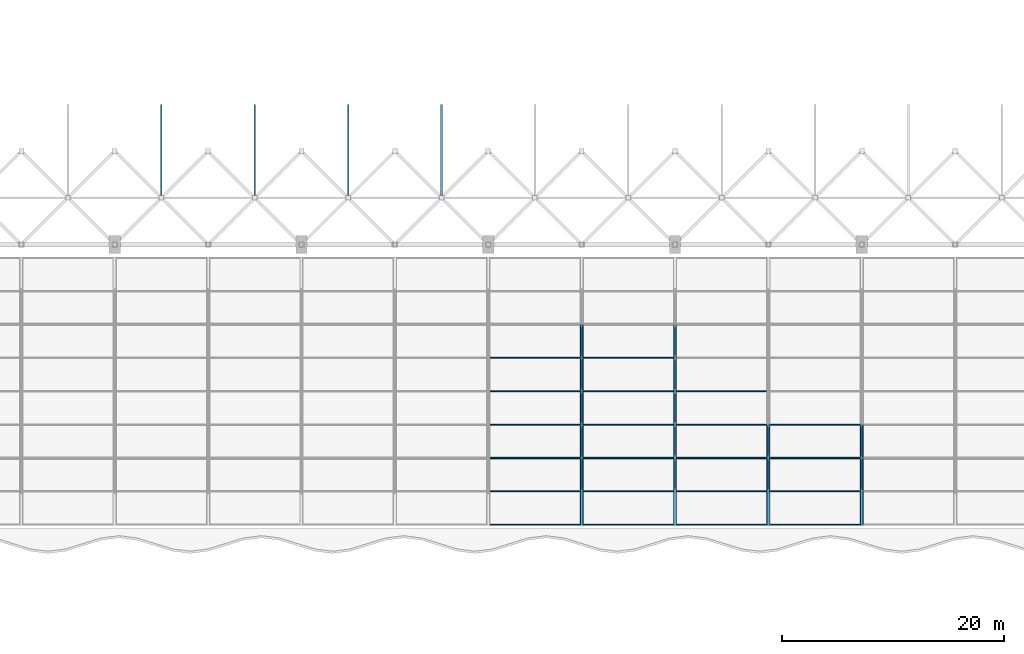
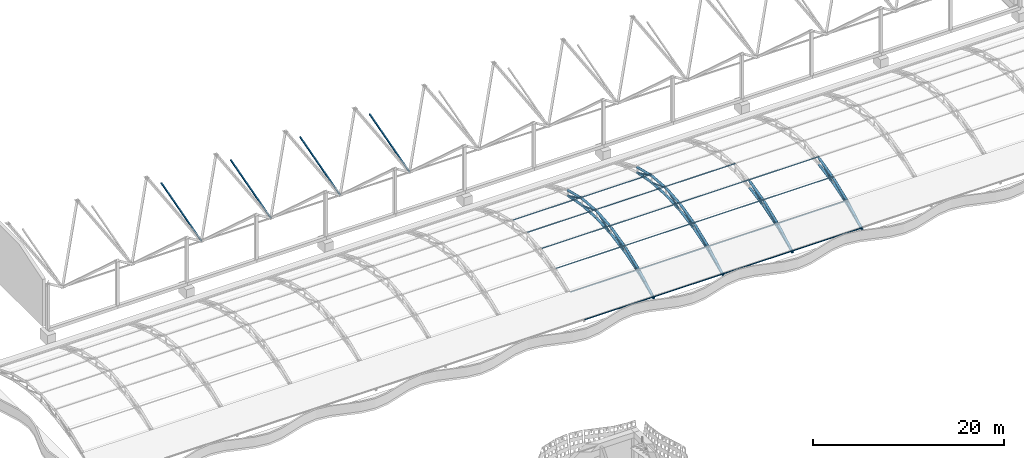
# One storey, part 17 of 163: 75 members.
"""IFC4 building model written with IfcOpenShell, lengths in metres."""

from ifc_helpers import new_model, si_unit, direction, frame, origin, origin_2d, place, context, subcontext, project, spatial, hollow_rectangle, hollow_circle, extrude, material, material_profile, profile_set, type_object, element, save


model = new_model("IFC4")

# Units and contexts
model_context = context("Model", 3, precision=1e-05, world=origin(), true_north=direction((0.0, 1.0)))
body_context = subcontext(model_context, "Body", "Model", "MODEL_VIEW")
ifc_project = project(units=[si_unit("LENGTHUNIT", "METRE"), si_unit("AREAUNIT", "SQUARE_METRE"), si_unit("VOLUMEUNIT", "CUBIC_METRE"), si_unit("PLANEANGLEUNIT", "RADIAN"), si_unit("MASSUNIT", "GRAM", prefix="KILO")], contexts=[model_context])

# Site, building, storey
site_placement = place(None, origin())
site = spatial("IfcSite", under=ifc_project, at=site_placement, CompositionType="ELEMENT")
building_placement = place(site_placement, origin())
building = spatial("IfcBuilding", under=site, at=building_placement, Name="Rain Tree Exposition and Congress Centre", CompositionType="ELEMENT")
storey_placement = place(building_placement, frame((0.0, 0.0, 10.5)))
storey = spatial("IfcBuildingStorey", under=building, at=storey_placement, Name="L02", CompositionType="ELEMENT", Elevation=10.5)

# Members
ifc_material_1 = material(Name="Steel S355J2H", Category="steel")
ifc_material_profile_1 = material_profile(ifc_material_1, hollow_circle(Radius=0.090087890625, WallThickness=0.008056640625, at=origin_2d()), Name="CHS 180x8")
ifc_profile_set_1 = profile_set([ifc_material_profile_1], Name="Steel S355J2H")
member_type_1 = type_object("IfcMemberType", Name="Steel brace member CHS 180x8", PredefinedType="BRACE", material=ifc_profile_set_1)
member_1_placement = place(storey_placement, frame((67.199951171875, 78.60009765625, 1.4423828125), z_axis=(0.0, 0.880818418444, 0.473454236151), x_axis=(-1.0, 0.0, 0.0)))
element("IfcMember", 1, at=member_1_placement, inside=storey, type_object=member_type_1, Name="Roof truss 9 diagonal 1", PredefinedType="BRACE", context=body_context, shape_type="SweptSolid", body=[
    extrude(hollow_circle(Radius=0.090087890625, WallThickness=0.008056640625, at=origin_2d()), origin(), (0.0, 0.0, 1.0), 3.406005859375),
])
member_2_placement = place(storey_placement, frame((67.199951171875, 81.60009765625, 2.3798828125), z_axis=(0.0, 0.905430616583, 0.424494285655), x_axis=(-1.0, 0.0, 0.0)))
element("IfcMember", 2, at=member_2_placement, inside=storey, type_object=member_type_1, Name="Roof truss 9 diagonal 2", PredefinedType="BRACE", context=body_context, shape_type="SweptSolid", body=[
    extrude(hollow_circle(Radius=0.090087890625, WallThickness=0.008056640625, at=origin_2d()), origin(), (0.0, 0.0, 1.0), 3.313232421875),
])
for number, where, z_axis, x_axis, name in (
    (3, (67.199951171875, 84.60009765625, 2.9423828125), (0.0, 0.940121356633, 0.340839896143), (-1.0, 0.0, 0.0), "Roof truss 9 diagonal 3"),
    (4, (67.199951171875, 90.60009765625, 2.9423828125), (0.0, -0.940121356633, 0.340839896143), (1.0, 0.0, 0.0), "Roof truss 9 diagonal 4"),
):
    element("IfcMember", number, at=place(storey_placement, frame(where, z_axis=z_axis, x_axis=x_axis)), inside=storey, type_object=member_type_1, Name=name, PredefinedType="BRACE", context=body_context, shape_type="SweptSolid", body=[
        extrude(hollow_circle(Radius=0.090087890625, WallThickness=0.008056640625, at=origin_2d()), origin(), (0.0, 0.0, 1.0), 3.191162109375),
    ])
member_3_placement = place(storey_placement, frame((67.199951171875, 93.60009765625, 2.3798828125), z_axis=(0.0, -0.905430616583, 0.424494285655), x_axis=(1.0, 0.0, 0.0)))
element("IfcMember", 5, at=member_3_placement, inside=storey, type_object=member_type_1, Name="Roof truss 9 diagonal 5", PredefinedType="BRACE", context=body_context, shape_type="SweptSolid", body=[
    extrude(hollow_circle(Radius=0.090087890625, WallThickness=0.008056640625, at=origin_2d()), origin(), (0.0, 0.0, 1.0), 3.313232421875),
])
member_4_placement = place(storey_placement, frame((75.60009765625, 78.60009765625, 1.4423828125), z_axis=(0.0, 0.880818418444, 0.473454236151), x_axis=(-1.0, 0.0, 0.0)))
element("IfcMember", 6, at=member_4_placement, inside=storey, type_object=member_type_1, Name="Roof truss 10 diagonal 1", PredefinedType="BRACE", context=body_context, shape_type="SweptSolid", body=[
    extrude(hollow_circle(Radius=0.090087890625, WallThickness=0.008056640625, at=origin_2d()), origin(), (0.0, 0.0, 1.0), 3.406005859375),
])
member_5_placement = place(storey_placement, frame((75.60009765625, 81.60009765625, 2.3798828125), z_axis=(0.0, 0.905430616583, 0.424494285655), x_axis=(-1.0, 0.0, 0.0)))
element("IfcMember", 7, at=member_5_placement, inside=storey, type_object=member_type_1, Name="Roof truss 10 diagonal 2", PredefinedType="BRACE", context=body_context, shape_type="SweptSolid", body=[
    extrude(hollow_circle(Radius=0.090087890625, WallThickness=0.008056640625, at=origin_2d()), origin(), (0.0, 0.0, 1.0), 3.313232421875),
])
for number, where, z_axis, x_axis, name in (
    (8, (75.60009765625, 84.60009765625, 2.9423828125), (0.0, 0.940121356633, 0.340839896143), (-1.0, 0.0, 0.0), "Roof truss 10 diagonal 3"),
    (9, (75.60009765625, 90.60009765625, 2.9423828125), (0.0, -0.940121356633, 0.340839896143), (1.0, 0.0, 0.0), "Roof truss 10 diagonal 4"),
):
    element("IfcMember", number, at=place(storey_placement, frame(where, z_axis=z_axis, x_axis=x_axis)), inside=storey, type_object=member_type_1, Name=name, PredefinedType="BRACE", context=body_context, shape_type="SweptSolid", body=[
        extrude(hollow_circle(Radius=0.090087890625, WallThickness=0.008056640625, at=origin_2d()), origin(), (0.0, 0.0, 1.0), 3.191162109375),
    ])
member_6_placement = place(storey_placement, frame((75.60009765625, 93.60009765625, 2.3798828125), z_axis=(0.0, -0.905430616583, 0.424494285655), x_axis=(1.0, 0.0, 0.0)))
element("IfcMember", 10, at=member_6_placement, inside=storey, type_object=member_type_1, Name="Roof truss 10 diagonal 5", PredefinedType="BRACE", context=body_context, shape_type="SweptSolid", body=[
    extrude(hollow_circle(Radius=0.090087890625, WallThickness=0.008056640625, at=origin_2d()), origin(), (0.0, 0.0, 1.0), 3.313232421875),
])
member_7_placement = place(storey_placement, frame((84.0, 78.60009765625, 1.4423828125), z_axis=(0.0, 0.880818418444, 0.473454236151), x_axis=(-1.0, 0.0, 0.0)))
element("IfcMember", 11, at=member_7_placement, inside=storey, type_object=member_type_1, Name="Roof truss 11 diagonal 1", PredefinedType="BRACE", context=body_context, shape_type="SweptSolid", body=[
    extrude(hollow_circle(Radius=0.090087890625, WallThickness=0.008056640625, at=origin_2d()), origin(), (0.0, 0.0, 1.0), 3.406005859375),
])
member_8_placement = place(storey_placement, frame((84.0, 81.60009765625, 2.3798828125), z_axis=(0.0, 0.905430616583, 0.424494285655), x_axis=(-1.0, 0.0, 0.0)))
element("IfcMember", 12, at=member_8_placement, inside=storey, type_object=member_type_1, Name="Roof truss 11 diagonal 2", PredefinedType="BRACE", context=body_context, shape_type="SweptSolid", body=[
    extrude(hollow_circle(Radius=0.090087890625, WallThickness=0.008056640625, at=origin_2d()), origin(), (0.0, 0.0, 1.0), 3.313232421875),
])
member_9_placement = place(storey_placement, frame((92.39990234375, 78.60009765625, 1.4423828125), z_axis=(0.0, 0.880818418444, 0.473454236151), x_axis=(-1.0, 0.0, 0.0)))
element("IfcMember", 13, at=member_9_placement, inside=storey, type_object=member_type_1, Name="Roof truss 12 diagonal 1", PredefinedType="BRACE", context=body_context, shape_type="SweptSolid", body=[
    extrude(hollow_circle(Radius=0.090087890625, WallThickness=0.008056640625, at=origin_2d()), origin(), (0.0, 0.0, 1.0), 3.406005859375),
])
member_10_placement = place(storey_placement, frame((92.39990234375, 81.60009765625, 2.3798828125), z_axis=(0.0, 0.905430616583, 0.424494285655), x_axis=(-1.0, 0.0, 0.0)))
element("IfcMember", 14, at=member_10_placement, inside=storey, type_object=member_type_1, Name="Roof truss 12 diagonal 2", PredefinedType="BRACE", context=body_context, shape_type="SweptSolid", body=[
    extrude(hollow_circle(Radius=0.090087890625, WallThickness=0.008056640625, at=origin_2d()), origin(), (0.0, 0.0, 1.0), 3.313232421875),
])
ifc_material_2 = material(Name="Steel S355J2H", Category="steel")
ifc_material_profile_2 = material_profile(ifc_material_2, hollow_circle(Radius=0.14990234375, WallThickness=0.013916015625, at=origin_2d()), Name="CHS 300x14")
ifc_profile_set_2 = profile_set([ifc_material_profile_2], Name="Steel S355J2H")
member_type_2 = type_object("IfcMemberType", Name="Steel chord member CHS 300x14", PredefinedType="CHORD", material=ifc_profile_set_2)
member_11_placement = place(storey_placement, frame((67.199951171875, 75.60009765625, 0.1298828125), z_axis=(0.0, 0.869238262324, 0.494393409455), x_axis=(-1.0, 0.0, 0.0)))
element("IfcMember", 15, at=member_11_placement, inside=storey, type_object=member_type_2, Name="Roof truss 9 top chord 1", PredefinedType="CHORD", context=body_context, shape_type="SweptSolid", body=[
    extrude(hollow_circle(Radius=0.14990234375, WallThickness=0.013916015625, at=origin_2d()), origin(), (0.0, 0.0, 1.0), 3.451416015625),
])
member_12_placement = place(storey_placement, frame((67.199951171875, 75.60009765625, 0.1298828125), z_axis=(0.0, 0.916157334902, 0.40081883402), x_axis=(-1.0, 0.0, 0.0)))
element("IfcMember", 16, at=member_12_placement, inside=storey, type_object=member_type_2, Name="Roof truss 9 bottom chord 1", PredefinedType="CHORD", context=body_context, shape_type="SweptSolid", body=[
    extrude(hollow_circle(Radius=0.14990234375, WallThickness=0.013916015625, at=origin_2d()), origin(), (0.0, 0.0, 1.0), 3.274658203125),
])
member_13_placement = place(storey_placement, frame((67.199951171875, 78.60009765625, 1.836181640625), z_axis=(0.0, 0.926466577122, 0.376377046956), x_axis=(-1.0, 0.0, 0.0)))
element("IfcMember", 17, at=member_13_placement, inside=storey, type_object=member_type_2, Name="Roof truss 9 top chord 2", PredefinedType="CHORD", context=body_context, shape_type="SweptSolid", body=[
    extrude(hollow_circle(Radius=0.14990234375, WallThickness=0.013916015625, at=origin_2d()), origin(), (0.0, 0.0, 1.0), 3.238037109375),
])
member_14_placement = place(storey_placement, frame((67.199951171875, 78.60009765625, 1.4423828125), z_axis=(0.0, 0.954479978035, 0.298274993136), x_axis=(-1.0, 0.0, 0.0)))
element("IfcMember", 18, at=member_14_placement, inside=storey, type_object=member_type_2, Name="Roof truss 9 bottom chord 2", PredefinedType="CHORD", context=body_context, shape_type="SweptSolid", body=[
    extrude(hollow_circle(Radius=0.14990234375, WallThickness=0.013916015625, at=origin_2d()), origin(), (0.0, 0.0, 1.0), 3.14306640625),
])
member_15_placement = place(storey_placement, frame((67.199951171875, 81.60009765625, 3.054931640625), z_axis=(0.0, 0.971539868448, 0.236876094228), x_axis=(-1.0, 0.0, 0.0)))
element("IfcMember", 19, at=member_15_placement, inside=storey, type_object=member_type_2, Name="Roof truss 9 top chord 3", PredefinedType="CHORD", context=body_context, shape_type="SweptSolid", body=[
    extrude(hollow_circle(Radius=0.14990234375, WallThickness=0.013916015625, at=origin_2d()), origin(), (0.0, 0.0, 1.0), 3.087890625),
])
member_16_placement = place(storey_placement, frame((67.199951171875, 81.60009765625, 2.3798828125), z_axis=(0.0, 0.982872186934, 0.18428853505), x_axis=(-1.0, 0.0, 0.0)))
element("IfcMember", 20, at=member_16_placement, inside=storey, type_object=member_type_2, Name="Roof truss 9 bottom chord 3", PredefinedType="CHORD", context=body_context, shape_type="SweptSolid", body=[
    extrude(hollow_circle(Radius=0.14990234375, WallThickness=0.013916015625, at=origin_2d()), origin(), (0.0, 0.0, 1.0), 3.05224609375),
])
member_17_placement = place(storey_placement, frame((67.199951171875, 84.60009765625, 3.786376953125), z_axis=(0.0, 0.996718090462, 0.0809508996), x_axis=(-1.0, 0.0, 0.0)))
element("IfcMember", 21, at=member_17_placement, inside=storey, type_object=member_type_2, Name="Roof truss 9 top chord 4", PredefinedType="CHORD", context=body_context, shape_type="SweptSolid", body=[
    extrude(hollow_circle(Radius=0.14990234375, WallThickness=0.013916015625, at=origin_2d()), origin(), (0.0, 0.0, 1.0), 3.009765625),
])
member_18_placement = place(storey_placement, frame((67.199951171875, 84.60009765625, 2.9423828125), z_axis=(0.0, 0.998052578483, 0.062378286155), x_axis=(-1.0, 0.0, 0.0)))
element("IfcMember", 22, at=member_18_placement, inside=storey, type_object=member_type_2, Name="Roof truss 9 bottom chord 4", PredefinedType="CHORD", context=body_context, shape_type="SweptSolid", body=[
    extrude(hollow_circle(Radius=0.14990234375, WallThickness=0.013916015625, at=origin_2d()), origin(), (0.0, 0.0, 1.0), 3.005859375),
])
member_19_placement = place(storey_placement, frame((67.199951171875, 87.60009765625, 4.030029296875), z_axis=(0.0, 0.996718090462, -0.0809508996), x_axis=(-1.0, 0.0, 0.0)))
element("IfcMember", 23, at=member_19_placement, inside=storey, type_object=member_type_2, Name="Roof truss 9 top chord 5", PredefinedType="CHORD", context=body_context, shape_type="SweptSolid", body=[
    extrude(hollow_circle(Radius=0.14990234375, WallThickness=0.013916015625, at=origin_2d()), origin(), (0.0, 0.0, 1.0), 3.009765625),
])
member_20_placement = place(storey_placement, frame((67.199951171875, 87.60009765625, 3.1298828125), z_axis=(0.0, 0.998052578483, -0.062378286155), x_axis=(-1.0, 0.0, 0.0)))
element("IfcMember", 24, at=member_20_placement, inside=storey, type_object=member_type_2, Name="Roof truss 9 bottom chord 5", PredefinedType="CHORD", context=body_context, shape_type="SweptSolid", body=[
    extrude(hollow_circle(Radius=0.14990234375, WallThickness=0.013916015625, at=origin_2d()), origin(), (0.0, 0.0, 1.0), 3.005859375),
])
member_21_placement = place(storey_placement, frame((67.199951171875, 90.60009765625, 3.786376953125), z_axis=(0.0, 0.971539868448, -0.236876094228), x_axis=(-1.0, 0.0, 0.0)))
element("IfcMember", 25, at=member_21_placement, inside=storey, type_object=member_type_2, Name="Roof truss 9 top chord 6", PredefinedType="CHORD", context=body_context, shape_type="SweptSolid", body=[
    extrude(hollow_circle(Radius=0.14990234375, WallThickness=0.013916015625, at=origin_2d()), origin(), (0.0, 0.0, 1.0), 3.087890625),
])
member_22_placement = place(storey_placement, frame((67.199951171875, 90.60009765625, 2.9423828125), z_axis=(0.0, 0.982872186934, -0.18428853505), x_axis=(-1.0, 0.0, 0.0)))
element("IfcMember", 26, at=member_22_placement, inside=storey, type_object=member_type_2, Name="Roof truss 9 bottom chord 6", PredefinedType="CHORD", context=body_context, shape_type="SweptSolid", body=[
    extrude(hollow_circle(Radius=0.14990234375, WallThickness=0.013916015625, at=origin_2d()), origin(), (0.0, 0.0, 1.0), 3.05224609375),
])
member_23_placement = place(storey_placement, frame((75.60009765625, 75.60009765625, 0.1298828125), z_axis=(0.0, 0.869238262324, 0.494393409455), x_axis=(-1.0, 0.0, 0.0)))
element("IfcMember", 27, at=member_23_placement, inside=storey, type_object=member_type_2, Name="Roof truss 10 top chord 1", PredefinedType="CHORD", context=body_context, shape_type="SweptSolid", body=[
    extrude(hollow_circle(Radius=0.14990234375, WallThickness=0.013916015625, at=origin_2d()), origin(), (0.0, 0.0, 1.0), 3.451416015625),
])
member_24_placement = place(storey_placement, frame((75.60009765625, 75.60009765625, 0.1298828125), z_axis=(0.0, 0.916157334902, 0.40081883402), x_axis=(-1.0, 0.0, 0.0)))
element("IfcMember", 28, at=member_24_placement, inside=storey, type_object=member_type_2, Name="Roof truss 10 bottom chord 1", PredefinedType="CHORD", context=body_context, shape_type="SweptSolid", body=[
    extrude(hollow_circle(Radius=0.14990234375, WallThickness=0.013916015625, at=origin_2d()), origin(), (0.0, 0.0, 1.0), 3.274658203125),
])
member_25_placement = place(storey_placement, frame((75.60009765625, 78.60009765625, 1.836181640625), z_axis=(0.0, 0.926466577122, 0.376377046956), x_axis=(-1.0, 0.0, 0.0)))
element("IfcMember", 29, at=member_25_placement, inside=storey, type_object=member_type_2, Name="Roof truss 10 top chord 2", PredefinedType="CHORD", context=body_context, shape_type="SweptSolid", body=[
    extrude(hollow_circle(Radius=0.14990234375, WallThickness=0.013916015625, at=origin_2d()), origin(), (0.0, 0.0, 1.0), 3.238037109375),
])
member_26_placement = place(storey_placement, frame((75.60009765625, 78.60009765625, 1.4423828125), z_axis=(0.0, 0.954479978035, 0.298274993136), x_axis=(-1.0, 0.0, 0.0)))
element("IfcMember", 30, at=member_26_placement, inside=storey, type_object=member_type_2, Name="Roof truss 10 bottom chord 2", PredefinedType="CHORD", context=body_context, shape_type="SweptSolid", body=[
    extrude(hollow_circle(Radius=0.14990234375, WallThickness=0.013916015625, at=origin_2d()), origin(), (0.0, 0.0, 1.0), 3.14306640625),
])
member_27_placement = place(storey_placement, frame((75.60009765625, 81.60009765625, 3.054931640625), z_axis=(0.0, 0.971539868448, 0.236876094228), x_axis=(-1.0, 0.0, 0.0)))
element("IfcMember", 31, at=member_27_placement, inside=storey, type_object=member_type_2, Name="Roof truss 10 top chord 3", PredefinedType="CHORD", context=body_context, shape_type="SweptSolid", body=[
    extrude(hollow_circle(Radius=0.14990234375, WallThickness=0.013916015625, at=origin_2d()), origin(), (0.0, 0.0, 1.0), 3.087890625),
])
member_28_placement = place(storey_placement, frame((75.60009765625, 81.60009765625, 2.3798828125), z_axis=(0.0, 0.982872186934, 0.18428853505), x_axis=(-1.0, 0.0, 0.0)))
element("IfcMember", 32, at=member_28_placement, inside=storey, type_object=member_type_2, Name="Roof truss 10 bottom chord 3", PredefinedType="CHORD", context=body_context, shape_type="SweptSolid", body=[
    extrude(hollow_circle(Radius=0.14990234375, WallThickness=0.013916015625, at=origin_2d()), origin(), (0.0, 0.0, 1.0), 3.05224609375),
])
member_29_placement = place(storey_placement, frame((75.60009765625, 84.60009765625, 3.786376953125), z_axis=(0.0, 0.996718090462, 0.0809508996), x_axis=(-1.0, 0.0, 0.0)))
element("IfcMember", 33, at=member_29_placement, inside=storey, type_object=member_type_2, Name="Roof truss 10 top chord 4", PredefinedType="CHORD", context=body_context, shape_type="SweptSolid", body=[
    extrude(hollow_circle(Radius=0.14990234375, WallThickness=0.013916015625, at=origin_2d()), origin(), (0.0, 0.0, 1.0), 3.009765625),
])
member_30_placement = place(storey_placement, frame((75.60009765625, 84.60009765625, 2.9423828125), z_axis=(0.0, 0.998052578483, 0.062378286155), x_axis=(-1.0, 0.0, 0.0)))
element("IfcMember", 34, at=member_30_placement, inside=storey, type_object=member_type_2, Name="Roof truss 10 bottom chord 4", PredefinedType="CHORD", context=body_context, shape_type="SweptSolid", body=[
    extrude(hollow_circle(Radius=0.14990234375, WallThickness=0.013916015625, at=origin_2d()), origin(), (0.0, 0.0, 1.0), 3.005859375),
])
member_31_placement = place(storey_placement, frame((75.60009765625, 87.60009765625, 4.030029296875), z_axis=(0.0, 0.996718090462, -0.0809508996), x_axis=(-1.0, 0.0, 0.0)))
element("IfcMember", 35, at=member_31_placement, inside=storey, type_object=member_type_2, Name="Roof truss 10 top chord 5", PredefinedType="CHORD", context=body_context, shape_type="SweptSolid", body=[
    extrude(hollow_circle(Radius=0.14990234375, WallThickness=0.013916015625, at=origin_2d()), origin(), (0.0, 0.0, 1.0), 3.009765625),
])
member_32_placement = place(storey_placement, frame((75.60009765625, 87.60009765625, 3.1298828125), z_axis=(0.0, 0.998052578483, -0.062378286155), x_axis=(-1.0, 0.0, 0.0)))
element("IfcMember", 36, at=member_32_placement, inside=storey, type_object=member_type_2, Name="Roof truss 10 bottom chord 5", PredefinedType="CHORD", context=body_context, shape_type="SweptSolid", body=[
    extrude(hollow_circle(Radius=0.14990234375, WallThickness=0.013916015625, at=origin_2d()), origin(), (0.0, 0.0, 1.0), 3.005859375),
])
member_33_placement = place(storey_placement, frame((75.60009765625, 90.60009765625, 3.786376953125), z_axis=(0.0, 0.971539868448, -0.236876094228), x_axis=(-1.0, 0.0, 0.0)))
element("IfcMember", 37, at=member_33_placement, inside=storey, type_object=member_type_2, Name="Roof truss 10 top chord 6", PredefinedType="CHORD", context=body_context, shape_type="SweptSolid", body=[
    extrude(hollow_circle(Radius=0.14990234375, WallThickness=0.013916015625, at=origin_2d()), origin(), (0.0, 0.0, 1.0), 3.087890625),
])
member_34_placement = place(storey_placement, frame((75.60009765625, 90.60009765625, 2.9423828125), z_axis=(0.0, 0.982872186934, -0.18428853505), x_axis=(-1.0, 0.0, 0.0)))
element("IfcMember", 38, at=member_34_placement, inside=storey, type_object=member_type_2, Name="Roof truss 10 bottom chord 6", PredefinedType="CHORD", context=body_context, shape_type="SweptSolid", body=[
    extrude(hollow_circle(Radius=0.14990234375, WallThickness=0.013916015625, at=origin_2d()), origin(), (0.0, 0.0, 1.0), 3.05224609375),
])
member_35_placement = place(storey_placement, frame((84.0, 75.60009765625, 0.1298828125), z_axis=(0.0, 0.869238262324, 0.494393409455), x_axis=(-1.0, 0.0, 0.0)))
element("IfcMember", 39, at=member_35_placement, inside=storey, type_object=member_type_2, Name="Roof truss 11 top chord 1", PredefinedType="CHORD", context=body_context, shape_type="SweptSolid", body=[
    extrude(hollow_circle(Radius=0.14990234375, WallThickness=0.013916015625, at=origin_2d()), origin(), (0.0, 0.0, 1.0), 3.451416015625),
])
member_36_placement = place(storey_placement, frame((84.0, 75.60009765625, 0.1298828125), z_axis=(0.0, 0.916157334902, 0.40081883402), x_axis=(-1.0, 0.0, 0.0)))
element("IfcMember", 40, at=member_36_placement, inside=storey, type_object=member_type_2, Name="Roof truss 11 bottom chord 1", PredefinedType="CHORD", context=body_context, shape_type="SweptSolid", body=[
    extrude(hollow_circle(Radius=0.14990234375, WallThickness=0.013916015625, at=origin_2d()), origin(), (0.0, 0.0, 1.0), 3.274658203125),
])
member_37_placement = place(storey_placement, frame((84.0, 78.60009765625, 1.836181640625), z_axis=(0.0, 0.926466577122, 0.376377046956), x_axis=(-1.0, 0.0, 0.0)))
element("IfcMember", 41, at=member_37_placement, inside=storey, type_object=member_type_2, Name="Roof truss 11 top chord 2", PredefinedType="CHORD", context=body_context, shape_type="SweptSolid", body=[
    extrude(hollow_circle(Radius=0.14990234375, WallThickness=0.013916015625, at=origin_2d()), origin(), (0.0, 0.0, 1.0), 3.238037109375),
])
member_38_placement = place(storey_placement, frame((84.0, 78.60009765625, 1.4423828125), z_axis=(0.0, 0.954479978035, 0.298274993136), x_axis=(-1.0, 0.0, 0.0)))
element("IfcMember", 42, at=member_38_placement, inside=storey, type_object=member_type_2, Name="Roof truss 11 bottom chord 2", PredefinedType="CHORD", context=body_context, shape_type="SweptSolid", body=[
    extrude(hollow_circle(Radius=0.14990234375, WallThickness=0.013916015625, at=origin_2d()), origin(), (0.0, 0.0, 1.0), 3.14306640625),
])
member_39_placement = place(storey_placement, frame((84.0, 81.60009765625, 3.054931640625), z_axis=(0.0, 0.971539868448, 0.236876094228), x_axis=(-1.0, 0.0, 0.0)))
element("IfcMember", 43, at=member_39_placement, inside=storey, type_object=member_type_2, Name="Roof truss 11 top chord 3", PredefinedType="CHORD", context=body_context, shape_type="SweptSolid", body=[
    extrude(hollow_circle(Radius=0.14990234375, WallThickness=0.013916015625, at=origin_2d()), origin(), (0.0, 0.0, 1.0), 3.087890625),
])
member_40_placement = place(storey_placement, frame((84.0, 81.60009765625, 2.3798828125), z_axis=(0.0, 0.982872186934, 0.18428853505), x_axis=(-1.0, 0.0, 0.0)))
element("IfcMember", 44, at=member_40_placement, inside=storey, type_object=member_type_2, Name="Roof truss 11 bottom chord 3", PredefinedType="CHORD", context=body_context, shape_type="SweptSolid", body=[
    extrude(hollow_circle(Radius=0.14990234375, WallThickness=0.013916015625, at=origin_2d()), origin(), (0.0, 0.0, 1.0), 3.05224609375),
])
member_41_placement = place(storey_placement, frame((92.39990234375, 75.60009765625, 0.1298828125), z_axis=(0.0, 0.869238262324, 0.494393409455), x_axis=(-1.0, 0.0, 0.0)))
element("IfcMember", 45, at=member_41_placement, inside=storey, type_object=member_type_2, Name="Roof truss 12 top chord 1", PredefinedType="CHORD", context=body_context, shape_type="SweptSolid", body=[
    extrude(hollow_circle(Radius=0.14990234375, WallThickness=0.013916015625, at=origin_2d()), origin(), (0.0, 0.0, 1.0), 3.451416015625),
])
member_42_placement = place(storey_placement, frame((92.39990234375, 75.60009765625, 0.1298828125), z_axis=(0.0, 0.916157334902, 0.40081883402), x_axis=(-1.0, 0.0, 0.0)))
element("IfcMember", 46, at=member_42_placement, inside=storey, type_object=member_type_2, Name="Roof truss 12 bottom chord 1", PredefinedType="CHORD", context=body_context, shape_type="SweptSolid", body=[
    extrude(hollow_circle(Radius=0.14990234375, WallThickness=0.013916015625, at=origin_2d()), origin(), (0.0, 0.0, 1.0), 3.274658203125),
])
member_43_placement = place(storey_placement, frame((92.39990234375, 78.60009765625, 1.836181640625), z_axis=(0.0, 0.926466577122, 0.376377046956), x_axis=(-1.0, 0.0, 0.0)))
element("IfcMember", 47, at=member_43_placement, inside=storey, type_object=member_type_2, Name="Roof truss 12 top chord 2", PredefinedType="CHORD", context=body_context, shape_type="SweptSolid", body=[
    extrude(hollow_circle(Radius=0.14990234375, WallThickness=0.013916015625, at=origin_2d()), origin(), (0.0, 0.0, 1.0), 3.238037109375),
])
member_44_placement = place(storey_placement, frame((92.39990234375, 78.60009765625, 1.4423828125), z_axis=(0.0, 0.954479978035, 0.298274993136), x_axis=(-1.0, 0.0, 0.0)))
element("IfcMember", 48, at=member_44_placement, inside=storey, type_object=member_type_2, Name="Roof truss 12 bottom chord 2", PredefinedType="CHORD", context=body_context, shape_type="SweptSolid", body=[
    extrude(hollow_circle(Radius=0.14990234375, WallThickness=0.013916015625, at=origin_2d()), origin(), (0.0, 0.0, 1.0), 3.14306640625),
])
member_45_placement = place(storey_placement, frame((92.39990234375, 81.60009765625, 3.054931640625), z_axis=(0.0, 0.971539868448, 0.236876094228), x_axis=(-1.0, 0.0, 0.0)))
element("IfcMember", 49, at=member_45_placement, inside=storey, type_object=member_type_2, Name="Roof truss 12 top chord 3", PredefinedType="CHORD", context=body_context, shape_type="SweptSolid", body=[
    extrude(hollow_circle(Radius=0.14990234375, WallThickness=0.013916015625, at=origin_2d()), origin(), (0.0, 0.0, 1.0), 3.087890625),
])
member_46_placement = place(storey_placement, frame((92.39990234375, 81.60009765625, 2.3798828125), z_axis=(0.0, 0.982872186934, 0.18428853505), x_axis=(-1.0, 0.0, 0.0)))
element("IfcMember", 50, at=member_46_placement, inside=storey, type_object=member_type_2, Name="Roof truss 12 bottom chord 3", PredefinedType="CHORD", context=body_context, shape_type="SweptSolid", body=[
    extrude(hollow_circle(Radius=0.14990234375, WallThickness=0.013916015625, at=origin_2d()), origin(), (0.0, 0.0, 1.0), 3.05224609375),
])
ifc_material_3 = material(Name="Steel S355J2H", Category="steel")
ifc_material_profile_3 = material_profile(ifc_material_3, hollow_rectangle(XDim=0.14990234375, YDim=0.14990234375, WallThickness=0.00439453125, at=origin_2d()), Name="RHS 150x150x4.5")
ifc_profile_set_3 = profile_set([ifc_material_profile_3], Name="Steel S355J2H")
member_type_3 = type_object("IfcMemberType", Name="Steel chord member RHS 150x150x4.5", PredefinedType="CHORD", material=ifc_profile_set_3)
for number, where, z_axis, x_axis, name in (
    (51, (29.39990234375, 105.0, 2.87353515625), (0.0, 0.9627506985, 0.27039062953), (-1.0, 0.0, 0.0), "Bottom chord 380"),
    (52, (37.800048828125, 105.0, 2.87353515625), (0.0, 0.9627506985, 0.27039062953), (-1.0, 0.0, 0.0), "Bottom chord 386"),
    (53, (46.199951171875, 105.0, 2.87353515625), (0.0, 0.9627506985, 0.27039062953), (-1.0, 0.0, 0.0), "Bottom chord 392"),
    (54, (54.60009765625, 105.0, 2.87353515625), (0.0, 0.9627506985, 0.27039062953), (-1.0, 0.0, 0.0), "Bottom chord 398"),
):
    element("IfcMember", number, at=place(storey_placement, frame(where, z_axis=z_axis, x_axis=x_axis)), inside=storey, type_object=member_type_3, Name=name, PredefinedType="CHORD", context=body_context, shape_type="SweptSolid", body=[
        extrude(hollow_rectangle(XDim=0.14990234375, YDim=0.14990234375, WallThickness=0.00439453125, at=origin_2d()), origin(), (0.0, 0.0, 1.0), 8.724853515625),
    ])
ifc_material_4 = material(Name="Steel S355J2H", Category="steel")
ifc_material_profile_4 = material_profile(ifc_material_4, hollow_circle(Radius=0.070068359375, WallThickness=0.006103515625, at=origin_2d()), Name="CHS 140x6")
ifc_profile_set_4 = profile_set([ifc_material_profile_4], Name="Steel S355J2H")
member_type_4 = type_object("IfcMemberType", Name="Steel purlin member CHS 140x6", PredefinedType="PURLIN", material=ifc_profile_set_4)
member_47_placement = place(storey_placement, frame((58.800048828125, 75.60009765625, 0.35009765625), z_axis=(1.0, 0.0, 0.0), x_axis=(0.0, 1.0, 0.0)))
element("IfcMember", 55, at=member_47_placement, inside=storey, type_object=member_type_4, Name="Roof purlin 1.8", PredefinedType="PURLIN", context=body_context, shape_type="SweptSolid", body=[
    extrude(hollow_circle(Radius=0.070068359375, WallThickness=0.006103515625, at=origin_2d()), origin(), (0.0, 0.0, 1.0), 8.39990234375),
])
member_48_placement = place(storey_placement, frame((67.199951171875, 75.60009765625, 0.35009765625), z_axis=(1.0, 0.0, 0.0), x_axis=(0.0, 1.0, 0.0)))
element("IfcMember", 56, at=member_48_placement, inside=storey, type_object=member_type_4, Name="Roof purlin 1.9", PredefinedType="PURLIN", context=body_context, shape_type="SweptSolid", body=[
    extrude(hollow_circle(Radius=0.070068359375, WallThickness=0.006103515625, at=origin_2d()), origin(), (0.0, 0.0, 1.0), 8.400146484375),
])
for number, where, z_axis, x_axis, name in (
    (57, (75.60009765625, 75.60009765625, 0.35009765625), (1.0, 0.0, 0.0), (0.0, 1.0, 0.0), "Roof purlin 1.10"),
    (58, (84.0, 75.60009765625, 0.35009765625), (1.0, 0.0, 0.0), (0.0, 1.0, 0.0), "Roof purlin 1.11"),
    (59, (58.800048828125, 78.60009765625, 2.056396484375), (1.0, 0.0, 0.0), (0.0, 1.0, 0.0), "Roof purlin 2.8"),
):
    element("IfcMember", number, at=place(storey_placement, frame(where, z_axis=z_axis, x_axis=x_axis)), inside=storey, type_object=member_type_4, Name=name, PredefinedType="PURLIN", context=body_context, shape_type="SweptSolid", body=[
        extrude(hollow_circle(Radius=0.070068359375, WallThickness=0.006103515625, at=origin_2d()), origin(), (0.0, 0.0, 1.0), 8.39990234375),
    ])
member_49_placement = place(storey_placement, frame((67.199951171875, 78.60009765625, 2.056396484375), z_axis=(1.0, 0.0, 0.0), x_axis=(0.0, 1.0, 0.0)))
element("IfcMember", 60, at=member_49_placement, inside=storey, type_object=member_type_4, Name="Roof purlin 2.9", PredefinedType="PURLIN", context=body_context, shape_type="SweptSolid", body=[
    extrude(hollow_circle(Radius=0.070068359375, WallThickness=0.006103515625, at=origin_2d()), origin(), (0.0, 0.0, 1.0), 8.400146484375),
])
for number, where, z_axis, x_axis, name in (
    (61, (75.60009765625, 78.60009765625, 2.056396484375), (1.0, 0.0, 0.0), (0.0, 1.0, 0.0), "Roof purlin 2.10"),
    (62, (84.0, 78.60009765625, 2.056396484375), (1.0, 0.0, 0.0), (0.0, 1.0, 0.0), "Roof purlin 2.11"),
    (63, (58.800048828125, 81.60009765625, 3.27490234375), (1.0, 0.0, 0.0), (0.0, 1.0, 0.0), "Roof purlin 3.8"),
):
    element("IfcMember", number, at=place(storey_placement, frame(where, z_axis=z_axis, x_axis=x_axis)), inside=storey, type_object=member_type_4, Name=name, PredefinedType="PURLIN", context=body_context, shape_type="SweptSolid", body=[
        extrude(hollow_circle(Radius=0.070068359375, WallThickness=0.006103515625, at=origin_2d()), origin(), (0.0, 0.0, 1.0), 8.39990234375),
    ])
member_50_placement = place(storey_placement, frame((67.199951171875, 81.60009765625, 3.27490234375), z_axis=(1.0, 0.0, 0.0), x_axis=(0.0, 1.0, 0.0)))
element("IfcMember", 64, at=member_50_placement, inside=storey, type_object=member_type_4, Name="Roof purlin 3.9", PredefinedType="PURLIN", context=body_context, shape_type="SweptSolid", body=[
    extrude(hollow_circle(Radius=0.070068359375, WallThickness=0.006103515625, at=origin_2d()), origin(), (0.0, 0.0, 1.0), 8.400146484375),
])
for number, where, z_axis, x_axis, name in (
    (65, (75.60009765625, 81.60009765625, 3.27490234375), (1.0, 0.0, 0.0), (0.0, 1.0, 0.0), "Roof purlin 3.10"),
    (66, (84.0, 81.60009765625, 3.27490234375), (1.0, 0.0, 0.0), (0.0, 1.0, 0.0), "Roof purlin 3.11"),
    (67, (58.800048828125, 84.60009765625, 4.00634765625), (1.0, 0.0, 0.0), (0.0, 1.0, 0.0), "Roof purlin 4.8"),
):
    element("IfcMember", number, at=place(storey_placement, frame(where, z_axis=z_axis, x_axis=x_axis)), inside=storey, type_object=member_type_4, Name=name, PredefinedType="PURLIN", context=body_context, shape_type="SweptSolid", body=[
        extrude(hollow_circle(Radius=0.070068359375, WallThickness=0.006103515625, at=origin_2d()), origin(), (0.0, 0.0, 1.0), 8.39990234375),
    ])
member_51_placement = place(storey_placement, frame((67.199951171875, 84.60009765625, 4.00634765625), z_axis=(1.0, 0.0, 0.0), x_axis=(0.0, 1.0, 0.0)))
element("IfcMember", 68, at=member_51_placement, inside=storey, type_object=member_type_4, Name="Roof purlin 4.9", PredefinedType="PURLIN", context=body_context, shape_type="SweptSolid", body=[
    extrude(hollow_circle(Radius=0.070068359375, WallThickness=0.006103515625, at=origin_2d()), origin(), (0.0, 0.0, 1.0), 8.400146484375),
])
for number, where, z_axis, x_axis, name in (
    (69, (75.60009765625, 84.60009765625, 4.00634765625), (1.0, 0.0, 0.0), (0.0, 1.0, 0.0), "Roof purlin 4.10"),
    (70, (84.0, 84.60009765625, 4.00634765625), (1.0, 0.0, 0.0), (0.0, 1.0, 0.0), "Roof purlin 4.11"),
    (71, (58.800048828125, 87.60009765625, 4.25), (1.0, 0.0, 0.0), (0.0, 1.0, 0.0), "Roof purlin 5.8"),
):
    element("IfcMember", number, at=place(storey_placement, frame(where, z_axis=z_axis, x_axis=x_axis)), inside=storey, type_object=member_type_4, Name=name, PredefinedType="PURLIN", context=body_context, shape_type="SweptSolid", body=[
        extrude(hollow_circle(Radius=0.070068359375, WallThickness=0.006103515625, at=origin_2d()), origin(), (0.0, 0.0, 1.0), 8.39990234375),
    ])
member_52_placement = place(storey_placement, frame((67.199951171875, 87.60009765625, 4.25), z_axis=(1.0, 0.0, 0.0), x_axis=(0.0, 1.0, 0.0)))
element("IfcMember", 72, at=member_52_placement, inside=storey, type_object=member_type_4, Name="Roof purlin 5.9", PredefinedType="PURLIN", context=body_context, shape_type="SweptSolid", body=[
    extrude(hollow_circle(Radius=0.070068359375, WallThickness=0.006103515625, at=origin_2d()), origin(), (0.0, 0.0, 1.0), 8.400146484375),
])
for number, where, z_axis, x_axis, name in (
    (73, (75.60009765625, 87.60009765625, 4.25), (1.0, 0.0, 0.0), (0.0, 1.0, 0.0), "Roof purlin 5.10"),
    (74, (58.800048828125, 90.60009765625, 4.00634765625), (1.0, 0.0, 0.0), (0.0, 1.0, 0.0), "Roof purlin 6.8"),
):
    element("IfcMember", number, at=place(storey_placement, frame(where, z_axis=z_axis, x_axis=x_axis)), inside=storey, type_object=member_type_4, Name=name, PredefinedType="PURLIN", context=body_context, shape_type="SweptSolid", body=[
        extrude(hollow_circle(Radius=0.070068359375, WallThickness=0.006103515625, at=origin_2d()), origin(), (0.0, 0.0, 1.0), 8.39990234375),
    ])
member_53_placement = place(storey_placement, frame((67.199951171875, 90.60009765625, 4.00634765625), z_axis=(1.0, 0.0, 0.0), x_axis=(0.0, 1.0, 0.0)))
element("IfcMember", 75, at=member_53_placement, inside=storey, type_object=member_type_4, Name="Roof purlin 6.9", PredefinedType="PURLIN", context=body_context, shape_type="SweptSolid", body=[
    extrude(hollow_circle(Radius=0.070068359375, WallThickness=0.006103515625, at=origin_2d()), origin(), (0.0, 0.0, 1.0), 8.400146484375),
])

save(model, "model.ifc")
